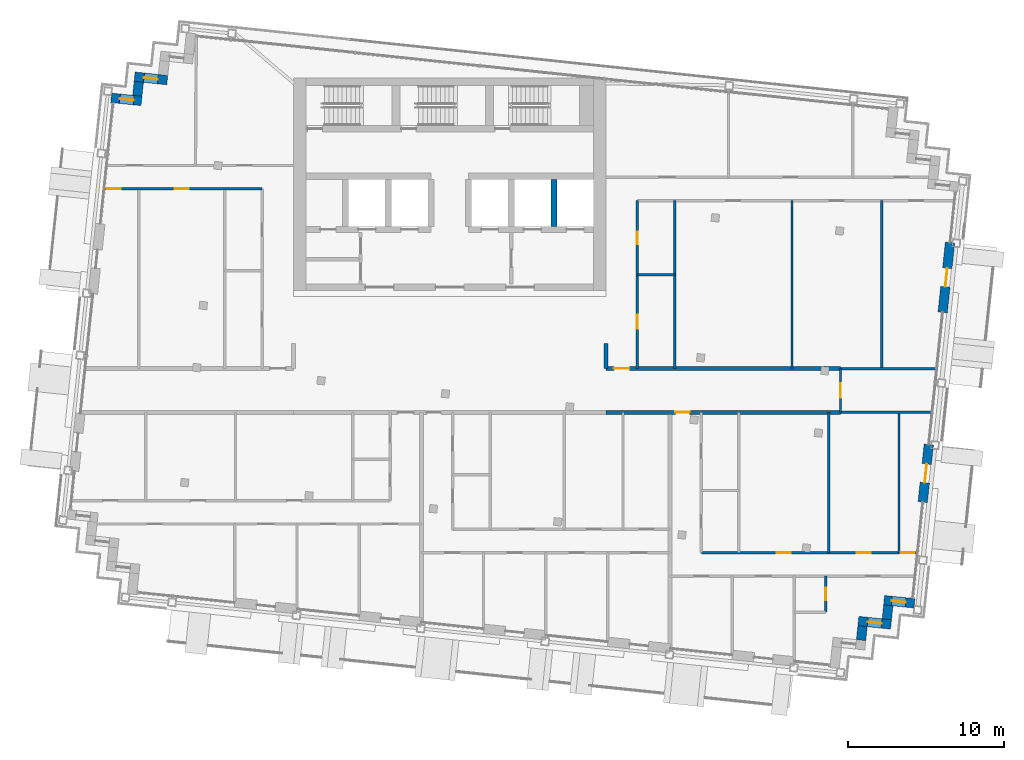
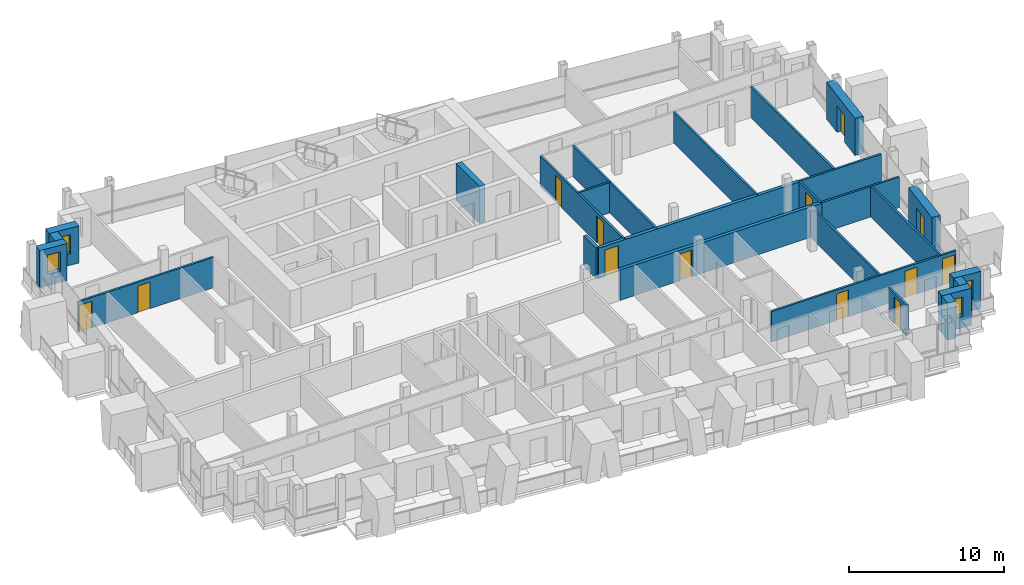
# One storey, part 11 of 17: 26 walls, 13 doors, 4 windows, 17 openings.
"""IFC4 building model written with IfcOpenShell, lengths in metres."""

import ifcopenshell
import ifcopenshell.guid

model = None  # the IFC model being written
_history = None  # IfcOwnerHistory: only IFC2X3 demands one
_inside = {}  # id of a spatial element -> (the spatial element, [elements in it])
_under = {}  # id of a project, library or spatial element -> (it, [spatial elements below it])
_declared = {}  # id of a project -> (the project, [libraries it declares])
_typed = {}  # id of a type object -> (the type object, [elements of that type])
_made_of = {}  # id of a material, layer set ... -> (it, [elements and type objects made of it])


def new_model(schema):
    """Start an empty IFC model of exactly this schema.

    Asked for "IFC4X3", IfcOpenShell would pick the latest addendum, in which some entities
    have other attributes; the version numbers below select the first issue.
    IFC2X3 requires an IfcOwnerHistory on every rooted entity: one is made here for all.
    """
    global model, _history
    if schema == "IFC4X3":
        model = ifcopenshell.file(schema_version=(4, 3, 0, 0))
    else:
        model = ifcopenshell.file(schema=schema)
    _inside.clear()
    _under.clear()
    _declared.clear()
    _typed.clear()
    _made_of.clear()
    _history = None
    if model.schema == "IFC2X3":
        org = make("IfcOrganization", Name="unknown")
        user = make(
            "IfcPersonAndOrganization",
            ThePerson=make("IfcPerson", FamilyName="unknown"),
            TheOrganization=org,
        )
        app = make(
            "IfcApplication",
            ApplicationDeveloper=org,
            Version="unknown",
            ApplicationFullName="unknown",
            ApplicationIdentifier="unknown",
        )
        _history = make(
            "IfcOwnerHistory",
            OwningUser=user,
            OwningApplication=app,
            ChangeAction="ADDED",
            CreationDate=0,
        )
    return model


def make(cls, **values):
    """One entity of the class cls with the attributes given. An attribute that is None is left unset."""
    return model.create_entity(
        cls, **{name: value for name, value in values.items() if value is not None}
    )


def rooted(cls, **values):
    """An entity with a GlobalId (a new one), such as an element, a storey or a relation."""
    return make(cls, GlobalId=ifcopenshell.guid.new(), OwnerHistory=_history, **values)


def si_unit(unit_type, name, prefix=None):
    """IfcSIUnit, for example si_unit("LENGTHUNIT", "METRE", prefix="MILLI")."""
    return make("IfcSIUnit", UnitType=unit_type, Prefix=prefix, Name=name)


def assignment(units):
    """IfcUnitAssignment: the units of a project."""
    return None if units is None else make("IfcUnitAssignment", Units=units)


def point(xyz):
    """IfcCartesianPoint."""
    return None if xyz is None else make("IfcCartesianPoint", Coordinates=xyz)


def direction(xyz):
    """IfcDirection."""
    return None if xyz is None else make("IfcDirection", DirectionRatios=xyz)


def frame(location, z_axis=None, x_axis=None):
    """IfcAxis2Placement3D, a coordinate frame: its origin and axes. An axis left out is left unset."""
    return make(
        "IfcAxis2Placement3D",
        Location=point(location),
        Axis=direction(z_axis),
        RefDirection=direction(x_axis),
    )


def frame_2d(location, x_axis=None):
    """IfcAxis2Placement2D, a coordinate frame in the plane: its origin and x axis."""
    return make(
        "IfcAxis2Placement2D", Location=point(location), RefDirection=direction(x_axis)
    )


def origin():
    """The frame at (0, 0, 0) with its axes left unset."""
    return frame((0.0, 0.0, 0.0))


def place(relative_to, where):
    """IfcLocalPlacement: puts the frame where relative to a parent placement (None: the world)."""
    return make(
        "IfcLocalPlacement", PlacementRelTo=relative_to, RelativePlacement=where
    )


def context(
    kind, dimensions, precision=None, world=None, true_north=None, identifier=None
):
    """IfcGeometricRepresentationContext, for example the 3D "Model" context."""
    return make(
        "IfcGeometricRepresentationContext",
        ContextIdentifier=identifier,
        ContextType=kind,
        CoordinateSpaceDimension=dimensions,
        Precision=precision,
        WorldCoordinateSystem=world,
        TrueNorth=true_north,
    )


def subcontext(parent, identifier, kind, view, scale=None):
    """IfcGeometricRepresentationSubContext, for example "Body" below "Model"."""
    return make(
        "IfcGeometricRepresentationSubContext",
        ContextIdentifier=identifier,
        ContextType=kind,
        ParentContext=parent,
        TargetScale=scale,
        TargetView=view,
    )


def project(units=None, contexts=None):
    """IfcProject with its units and contexts."""
    return rooted(
        "IfcProject",
        Name="project",
        RepresentationContexts=contexts,
        UnitsInContext=assignment(units),
    )


def spatial(cls, under=None, at=None, **own):
    """A site, building, storey or space (cls), placed at a placement, below another one or the project."""
    s = rooted(cls, ObjectPlacement=at, **own)
    if under is not None:
        _under.setdefault(under.id(), (under, []))[1].append(s)
    return s


def profile(cls, at=None, kind="AREA", **sizes):
    """A parametric profile (cls). Its sizes go by their IFC names, for example OverallWidth=200.0."""
    return make(cls, ProfileType=kind, Position=at, **sizes)


def rectangle(**sizes):
    """IfcRectangleProfileDef."""
    return profile("IfcRectangleProfileDef", **sizes)


def extrude(swept, where, along, depth):
    """IfcExtrudedAreaSolid: the profile swept, set in the frame where, extruded along a direction by depth."""
    return make(
        "IfcExtrudedAreaSolid",
        SweptArea=swept,
        Position=where,
        ExtrudedDirection=direction(along),
        Depth=depth,
    )


def shape(context_of_items, identifier, shape_type, items):
    """IfcShapeRepresentation: the items that make up one representation, for example the "Body"."""
    return make(
        "IfcShapeRepresentation",
        ContextOfItems=context_of_items,
        RepresentationIdentifier=identifier,
        RepresentationType=shape_type,
        Items=items,
    )


def material(Name=None, Category=None):
    """IfcMaterial."""
    return make("IfcMaterial", Name=Name, Category=Category)


def layer(
    of_material, thickness, ventilated=None, Name=None, Category=None, Priority=None
):
    """IfcMaterialLayer: one layer of a wall or slab, of a material (None: an air gap)."""
    return make(
        "IfcMaterialLayer",
        Material=of_material,
        LayerThickness=thickness,
        IsVentilated=ventilated,
        Name=Name,
        Category=Category,
        Priority=Priority,
    )


def layer_set(layers, Name=None):
    """IfcMaterialLayerSet."""
    return make("IfcMaterialLayerSet", MaterialLayers=layers, LayerSetName=Name)


def made_of(thing, what):
    """Note that an element or type object is made of a material, layer set ...; save() writes the relation."""
    if what is not None:
        _made_of.setdefault(what.id(), (what, []))[1].append(thing)
    return thing


def type_object(cls, material=None, **own):
    """A type object (cls), such as IfcWallType, which elements share."""
    return made_of(rooted(cls, **own), material)


def element(
    cls,
    number,
    at=None,
    inside=None,
    cuts=None,
    type_object=None,
    material=None,
    context=None,
    identifier="Body",
    shape_type=None,
    held_by="IfcProductDefinitionShape",
    body=None,
    shapes=None,
    **own,
):
    """One element of the class cls, such as IfcWall. Its Tag is "e" and its number.

    at: its placement. inside: the storey or other place that contains it. cuts: it is an
    opening in that element (IfcRelVoidsElement). A single representation is given by context,
    identifier, shape_type and body (its items); several are given by shapes. held_by: the class
    of the entity that holds the representations. save() writes the other relations.
    """
    e = rooted(cls, Tag="e%d" % number, ObjectPlacement=at, **own)
    if body is not None:
        shapes = [shape(context, identifier, shape_type, body)]
    if shapes is not None:
        e.Representation = make(held_by, Representations=shapes)
    if inside is not None:
        _inside.setdefault(inside.id(), (inside, []))[1].append(e)
    if cuts is not None:
        rooted(
            "IfcRelVoidsElement", RelatingBuildingElement=cuts, RelatedOpeningElement=e
        )
    if type_object is not None:
        _typed.setdefault(type_object.id(), (type_object, []))[1].append(e)
    return made_of(e, material)


def fill(opening, filler):
    """IfcRelFillsElement: the door or window that sits in an opening."""
    return rooted(
        "IfcRelFillsElement",
        RelatingOpeningElement=opening,
        RelatedBuildingElement=filler,
    )


def aggregate(whole, parts):
    """IfcRelAggregates: a whole, such as a stair, and the parts it consists of."""
    return rooted("IfcRelAggregates", RelatingObject=whole, RelatedObjects=parts)


def save(model, path):
    """Write the relations noted so far, then the file.

    IfcRelAggregates (storeys below a building ...), IfcRelContainedInSpatialStructure (elements
    in a storey), IfcRelDefinesByType, IfcRelAssociatesMaterial and IfcRelDeclares: one each for
    every whole, place, type object, material and project.
    """
    for whole, parts in _under.values():
        aggregate(whole, parts)
    for where, things in _inside.values():
        rooted(
            "IfcRelContainedInSpatialStructure",
            RelatedElements=things,
            RelatingStructure=where,
        )
    for kind, things in _typed.values():
        rooted("IfcRelDefinesByType", RelatedObjects=things, RelatingType=kind)
    for what, things in _made_of.values():
        rooted("IfcRelAssociatesMaterial", RelatedObjects=things, RelatingMaterial=what)
    for by, libraries in _declared.values():
        rooted("IfcRelDeclares", RelatingContext=by, RelatedDefinitions=libraries)
    model.write(path)


model = new_model("IFC4")

# Units and contexts
model_context = context("Model", 3, precision=1e-05, world=origin(), true_north=direction((0.0, 1.0)))
body_context = subcontext(model_context, "Body", "Model", "MODEL_VIEW")
ifc_project = project(units=[si_unit("LENGTHUNIT", "METRE"), si_unit("AREAUNIT", "SQUARE_METRE"), si_unit("VOLUMEUNIT", "CUBIC_METRE"), si_unit("PLANEANGLEUNIT", "RADIAN"), si_unit("MASSUNIT", "GRAM", prefix="KILO")], contexts=[model_context])

# Site, building, storey
site_placement = place(None, origin())
site = spatial("IfcSite", under=ifc_project, at=site_placement, CompositionType="ELEMENT")
building_placement = place(site_placement, origin())
building = spatial("IfcBuilding", under=site, at=building_placement, Name="Vidyagriha Tower", CompositionType="ELEMENT")
storey_placement = place(building_placement, frame((0.0, 0.0, 262.699951171875)))
storey = spatial("IfcBuildingStorey", under=building, at=storey_placement, Name="L68", CompositionType="ELEMENT", Elevation=262.699951171875)

# Wall, opening, window
ifc_material_1 = material(Name="Precast concrete C40/50 with brick facing", Category="concrete")
ifc_layer_1 = layer(ifc_material_1, 0.60009765625)
ifc_layer_set_1 = layer_set([ifc_layer_1], Name="Precast concrete C40/50 with brick facing")
wall_type_1 = type_object("IfcWallType", Name="Brick-faced precast wall 600", PredefinedType="STANDARD", material=ifc_layer_set_1)
wall_1_placement = place(storey_placement, frame((-18.077392578125, 19.859130859375, 0.0), z_axis=(0.0, 0.0, 1.0), x_axis=(-0.994522640205, 0.104521376379, 0.0)))
wall_1 = element("IfcWall", 1, at=wall_1_placement, inside=storey, type_object=wall_type_1, Name="Stepped corner wall L68 R11", PredefinedType="STANDARD", context=body_context, shape_type="SweptSolid", body=[
    extrude(rectangle(XDim=2.099853515625, YDim=0.60009765625, at=frame_2d((1.0498046875, 0.0))), origin(), (0.0, 0.0, 1.0), 2.920166015625),
])
opening_1_placement = place(wall_1_placement, frame((0.60009765625, 0.0, 0.89990234375)))
opening_1 = element("IfcOpeningElement", 2, at=opening_1_placement, cuts=wall_1, Name="Opening WN1", PredefinedType="OPENING", context=body_context, shape_type="SweptSolid", body=[
    extrude(rectangle(XDim=0.89990234375, YDim=1.5, at=frame_2d((0.449951171875, 0.75))), frame((0.0, 0.31005859375, 0.0), z_axis=(0.0, -1.0, 0.0), x_axis=(1.0, 0.0, 0.0)), (0.0, 0.0, 1.0), 0.6201171875),
])
ifc_material_2 = material(Name="Aluminium and glass window", Category="aluminium")
window_type = type_object("IfcWindowType", Name="Reveal window 900x1500", PartitioningType="NOTDEFINED", PredefinedType="WINDOW", material=ifc_material_2)
window_1_placement = place(opening_1_placement, origin())
window_1 = element("IfcWindow", 3, at=window_1_placement, inside=storey, type_object=window_type, Name="Reveal window L68 R11", OverallHeight=1.5, OverallWidth=0.89990234375, PartitioningType="SINGLE_PANEL", PredefinedType="WINDOW", context=body_context, shape_type="SweptSolid", body=[
    extrude(rectangle(XDim=0.89990234375, YDim=1.5, at=frame_2d((0.449951171875, 0.75))), frame((0.0, 0.030029296875, 0.0), z_axis=(0.0, -1.0, 0.0), x_axis=(1.0, 0.0, 0.0)), (0.0, 0.0, 1.0), 0.06005859375),
])
fill(opening_1, window_1)

# Wall
wall_2_placement = place(storey_placement, frame((-19.898681640625, 19.748779296875, 0.0), z_axis=(0.0, 0.0, 1.0), x_axis=(-0.104741284723, -0.994499503909, 0.0)))
element("IfcWall", 4, at=wall_2_placement, inside=storey, type_object=wall_type_1, Name="Stepped corner wall L68 R12", PredefinedType="STANDARD", context=body_context, shape_type="SweptSolid", body=[
    extrude(rectangle(XDim=0.899658203125, YDim=0.60009765625, at=frame_2d((0.44970703125, 0.0))), origin(), (0.0, 0.0, 1.0), 2.920166015625),
])

# Wall, opening, window
wall_3_placement = place(storey_placement, frame((-19.725830078125, 18.5244140625, 0.0), z_axis=(0.0, 0.0, 1.0), x_axis=(-0.994534226826, 0.104411070641, 0.0)))
wall_3 = element("IfcWall", 5, at=wall_3_placement, inside=storey, type_object=wall_type_1, Name="Stepped corner wall L68 R13", PredefinedType="STANDARD", context=body_context, shape_type="SweptSolid", body=[
    extrude(rectangle(XDim=1.9501953125, YDim=0.60009765625, at=frame_2d((0.97509765625, 0.0))), origin(), (0.0, 0.0, 1.0), 2.920166015625),
])
opening_2_placement = place(wall_3_placement, frame((0.489990234375, 0.0, 0.89990234375)))
opening_2 = element("IfcOpeningElement", 6, at=opening_2_placement, cuts=wall_3, Name="Opening WN1", PredefinedType="OPENING", context=body_context, shape_type="SweptSolid", body=[
    extrude(rectangle(XDim=0.89990234375, YDim=1.5, at=frame_2d((0.449951171875, 0.75))), frame((0.0, 0.31005859375, 0.0), z_axis=(0.0, -1.0, 0.0), x_axis=(1.0, 0.0, 0.0)), (0.0, 0.0, 1.0), 0.6201171875),
])
window_2_placement = place(opening_2_placement, origin())
window_2 = element("IfcWindow", 7, at=window_2_placement, inside=storey, type_object=window_type, Name="Reveal window L68 R13", OverallHeight=1.5, OverallWidth=0.89990234375, PartitioningType="SINGLE_PANEL", PredefinedType="WINDOW", context=body_context, shape_type="SweptSolid", body=[
    extrude(rectangle(XDim=0.89990234375, YDim=1.5, at=frame_2d((0.449951171875, 0.75))), frame((0.0, 0.030029296875, 0.0), z_axis=(0.0, -1.0, 0.0), x_axis=(1.0, 0.0, 0.0)), (0.0, 0.0, 1.0), 0.06005859375),
])
fill(opening_2, window_2)

# Wall
wall_4_placement = place(storey_placement, frame((26.320068359375, -15.97802734375, 0.0), z_axis=(0.0, 0.0, 1.0), x_axis=(0.104444712852, 0.994530694326, 0.0)))
element("IfcWall", 8, at=wall_4_placement, inside=storey, type_object=wall_type_1, Name="Stepped corner wall L68 R24", PredefinedType="STANDARD", context=body_context, shape_type="SweptSolid", body=[
    extrude(rectangle(XDim=0.89990234375, YDim=0.60009765625, at=frame_2d((0.449951171875, 0.0))), origin(), (0.0, 0.0, 1.0), 2.920166015625),
])

# Wall, opening, window
wall_5_placement = place(storey_placement, frame((26.147216796875, -14.753173828125, 0.0), z_axis=(0.0, 0.0, 1.0), x_axis=(0.994522640205, -0.104521376379, 0.0)))
wall_5 = element("IfcWall", 9, at=wall_5_placement, inside=storey, type_object=wall_type_1, Name="Stepped corner wall L68 R25", PredefinedType="STANDARD", context=body_context, shape_type="SweptSolid", body=[
    extrude(rectangle(XDim=2.099853515625, YDim=0.60009765625, at=frame_2d((1.0498046875, 0.0))), origin(), (0.0, 0.0, 1.0), 2.920166015625),
])
opening_3_placement = place(wall_5_placement, frame((0.599853515625, 0.0, 0.89990234375)))
opening_3 = element("IfcOpeningElement", 10, at=opening_3_placement, cuts=wall_5, Name="Opening WN1", PredefinedType="OPENING", context=body_context, shape_type="SweptSolid", body=[
    extrude(rectangle(XDim=0.89990234375, YDim=1.5, at=frame_2d((0.449951171875, 0.75))), frame((0.0, 0.31005859375, 0.0), z_axis=(0.0, -1.0, 0.0), x_axis=(1.0, 0.0, 0.0)), (0.0, 0.0, 1.0), 0.6201171875),
])
window_3_placement = place(opening_3_placement, origin())
window_3 = element("IfcWindow", 11, at=window_3_placement, inside=storey, type_object=window_type, Name="Reveal window L68 R25", OverallHeight=1.5, OverallWidth=0.89990234375, PartitioningType="SINGLE_PANEL", PredefinedType="WINDOW", context=body_context, shape_type="SweptSolid", body=[
    extrude(rectangle(XDim=0.89990234375, YDim=1.5, at=frame_2d((0.449951171875, 0.75))), frame((0.0, 0.030029296875, 0.0), z_axis=(0.0, -1.0, 0.0), x_axis=(1.0, 0.0, 0.0)), (0.0, 0.0, 1.0), 0.06005859375),
])
fill(opening_3, window_3)

# Wall
wall_6_placement = place(storey_placement, frame((27.968505859375, -14.64306640625, 0.0), z_axis=(0.0, 0.0, 1.0), x_axis=(0.104416541099, 0.994533652495, 0.0)))
element("IfcWall", 12, at=wall_6_placement, inside=storey, type_object=wall_type_1, Name="Stepped corner wall L68 R26", PredefinedType="STANDARD", context=body_context, shape_type="SweptSolid", body=[
    extrude(rectangle(XDim=0.900146484375, YDim=0.60009765625, at=frame_2d((0.4501953125, 0.0))), origin(), (0.0, 0.0, 1.0), 2.920166015625),
])

# Wall, opening, window
wall_7_placement = place(storey_placement, frame((27.795654296875, -13.418212890625, 0.0), z_axis=(0.0, 0.0, 1.0), x_axis=(0.994519850893, -0.104547913319, 0.0)))
wall_7 = element("IfcWall", 13, at=wall_7_placement, inside=storey, type_object=wall_type_1, Name="Stepped corner wall L68 R27", PredefinedType="STANDARD", context=body_context, shape_type="SweptSolid", body=[
    extrude(rectangle(XDim=1.949951171875, YDim=0.60009765625, at=frame_2d((0.97509765625, 0.0))), origin(), (0.0, 0.0, 1.0), 2.920166015625),
])
opening_4_placement = place(wall_7_placement, frame((0.489990234375, 0.0, 0.89990234375)))
opening_4 = element("IfcOpeningElement", 14, at=opening_4_placement, cuts=wall_7, Name="Opening WN1", PredefinedType="OPENING", context=body_context, shape_type="SweptSolid", body=[
    extrude(rectangle(XDim=0.89990234375, YDim=1.5, at=frame_2d((0.449951171875, 0.75))), frame((0.0, 0.31005859375, 0.0), z_axis=(0.0, -1.0, 0.0), x_axis=(1.0, 0.0, 0.0)), (0.0, 0.0, 1.0), 0.6201171875),
])
window_4_placement = place(opening_4_placement, origin())
window_4 = element("IfcWindow", 15, at=window_4_placement, inside=storey, type_object=window_type, Name="Reveal window L68 R27", OverallHeight=1.5, OverallWidth=0.89990234375, PartitioningType="SINGLE_PANEL", PredefinedType="WINDOW", context=body_context, shape_type="SweptSolid", body=[
    extrude(rectangle(XDim=0.89990234375, YDim=1.5, at=frame_2d((0.449951171875, 0.75))), frame((0.0, 0.030029296875, 0.0), z_axis=(0.0, -1.0, 0.0), x_axis=(1.0, 0.0, 0.0)), (0.0, 0.0, 1.0), 0.06005859375),
])
fill(opening_4, window_4)

# Wall, opening, door
wall_8_placement = place(storey_placement, frame((30.26513671875, -7.14208984375, 0.0), z_axis=(0.0, 0.0, 1.0), x_axis=(0.104513052986, 0.994523514933, 0.0)))
wall_8 = element("IfcWall", 16, at=wall_8_placement, inside=storey, type_object=wall_type_1, Name="Brick door bay wall L68 R28.3", PredefinedType="STANDARD", context=body_context, shape_type="SweptSolid", body=[
    extrude(rectangle(XDim=3.7001953125, YDim=0.60009765625, at=frame_2d((1.85009765625, 0.0))), origin(), (0.0, 0.0, 1.0), 2.920166015625),
])
opening_5_placement = place(wall_8_placement, frame((1.25, 0.0, 0.0)))
opening_5 = element("IfcOpeningElement", 17, at=opening_5_placement, cuts=wall_8, Name="Opening D68-65", PredefinedType="OPENING", context=body_context, shape_type="SweptSolid", body=[
    extrude(rectangle(XDim=1.199951171875, YDim=2.10009765625, at=frame_2d((0.60009765625, 1.050048828125))), frame((0.0, 0.31005859375, 0.0), z_axis=(0.0, -1.0, 0.0), x_axis=(1.0, 0.0, 0.0)), (0.0, 0.0, 1.0), 0.6201171875),
])
ifc_material_3 = material(Name="Aluminium framed glazed sliding door", Category="aluminium")
door_type_1 = type_object("IfcDoorType", Name="Balcony sliding door 1200x2100", OperationType="NOTDEFINED", PredefinedType="DOOR", material=ifc_material_3)
door_1_placement = place(opening_5_placement, origin())
door_1 = element("IfcDoor", 18, at=door_1_placement, inside=storey, type_object=door_type_1, Name="Door D68-65", OperationType="SLIDING_TO_LEFT", OverallHeight=2.10009765625, OverallWidth=1.199951171875, PredefinedType="DOOR", context=body_context, shape_type="SweptSolid", body=[
    extrude(rectangle(XDim=1.199951171875, YDim=2.10009765625, at=frame_2d((0.60009765625, 1.050048828125))), frame((0.0, 0.02490234375, 0.0), z_axis=(0.0, -1.0, 0.0), x_axis=(1.0, 0.0, 0.0)), (0.0, 0.0, 1.0), 0.050048828125),
])
fill(opening_5, door_1)

wall_9_placement = place(storey_placement, frame((31.540283203125, 4.9912109375, 0.0), z_axis=(0.0, 0.0, 1.0), x_axis=(0.104546400045, 0.994520009974, 0.0)))
wall_9 = element("IfcWall", 19, at=wall_9_placement, inside=storey, type_object=wall_type_1, Name="Brick door bay wall L68 R28.6", PredefinedType="STANDARD", context=body_context, shape_type="SweptSolid", body=[
    extrude(rectangle(XDim=4.5, YDim=0.60009765625, at=frame_2d((2.25, 0.0))), origin(), (0.0, 0.0, 1.0), 2.920166015625),
])
opening_6_placement = place(wall_9_placement, frame((1.64990234375, 0.0, 0.0)))
opening_6 = element("IfcOpeningElement", 20, at=opening_6_placement, cuts=wall_9, Name="Opening D68-66", PredefinedType="OPENING", context=body_context, shape_type="SweptSolid", body=[
    extrude(rectangle(XDim=1.199951171875, YDim=2.10009765625, at=frame_2d((0.60009765625, 1.050048828125))), frame((0.0, 0.31005859375, 0.0), z_axis=(0.0, -1.0, 0.0), x_axis=(1.0, 0.0, 0.0)), (0.0, 0.0, 1.0), 0.6201171875),
])
door_2_placement = place(opening_6_placement, origin())
door_2 = element("IfcDoor", 21, at=door_2_placement, inside=storey, type_object=door_type_1, Name="Door D68-66", OperationType="SLIDING_TO_LEFT", OverallHeight=2.10009765625, OverallWidth=1.199951171875, PredefinedType="DOOR", context=body_context, shape_type="SweptSolid", body=[
    extrude(rectangle(XDim=1.199951171875, YDim=2.10009765625, at=frame_2d((0.60009765625, 1.050048828125))), frame((0.0, 0.02490234375, 0.0), z_axis=(0.0, -1.0, 0.0), x_axis=(1.0, 0.0, 0.0)), (0.0, 0.0, 1.0), 0.050048828125),
])
fill(opening_6, door_2)

# Wall
ifc_material_4 = material(Name="Concrete C60/75", Category="concrete")
ifc_layer_2 = layer(ifc_material_4, 0.39990234375)
ifc_layer_set_2 = layer_set([ifc_layer_2], Name="Concrete C60/75")
wall_type_2 = type_object("IfcWallType", Name="Core shear wall 400 mm", PredefinedType="SHEAR", material=ifc_layer_set_2)
wall_10_placement = place(storey_placement, frame((6.666748046875, 10.5, 0.0), z_axis=(0.0, 0.0, 1.0), x_axis=(0.0, 1.0, 0.0)))
element("IfcWall", 22, at=wall_10_placement, inside=storey, type_object=wall_type_2, Name="Core bay wall N6", PredefinedType="SHEAR", context=body_context, shape_type="SweptSolid", body=[
    extrude(rectangle(XDim=3.0, YDim=0.39990234375, at=frame_2d((1.5, 0.0))), origin(), (0.0, 0.0, 1.0), 2.920166015625),
])

# Wall, opening, door
ifc_material_5 = material(Name="Fired clay brick masonry", Category="masonry")
ifc_layer_3 = layer(ifc_material_5, 0.25)
ifc_layer_set_3 = layer_set([ifc_layer_3], Name="Fired clay brick masonry")
wall_type_3 = type_object("IfcWallType", Name="Fired clay brick corridor wall 250", PredefinedType="PARTITIONING", material=ifc_layer_set_3)
wall_11_placement = place(storey_placement, frame((25.0, -1.39990234375, 0.0), z_axis=(0.0, 0.0, 1.0), x_axis=(-1.0, 0.0, 0.0)))
wall_11 = element("IfcWall", 23, at=wall_11_placement, inside=storey, type_object=wall_type_3, Name="Wall all-L68-w065", PredefinedType="PARTITIONING", context=body_context, shape_type="SweptSolid", body=[
    extrude(rectangle(XDim=15.0, YDim=0.25, at=frame_2d((7.5, 0.0))), origin(), (0.0, 0.0, 1.0), 2.400146484375),
])
opening_7_placement = place(wall_11_placement, frame((9.657958984375, 0.0, 0.0)))
opening_7 = element("IfcOpeningElement", 24, at=opening_7_placement, cuts=wall_11, Name="Opening D68-40", PredefinedType="OPENING", context=body_context, shape_type="SweptSolid", body=[
    extrude(rectangle(XDim=0.89990234375, YDim=2.10009765625, at=frame_2d((0.449951171875, 1.050048828125))), frame((0.0, 0.135009765625, 0.0), z_axis=(0.0, -1.0, 0.0), x_axis=(1.0, 0.0, 0.0)), (0.0, 0.0, 1.0), 0.27001953125),
])
ifc_material_6 = material(Name="Fire-rated timber door leaf EI 60", Category="wood")
door_type_2 = type_object("IfcDoorType", Name="Flat entrance fire door 900x2100", OperationType="NOTDEFINED", PredefinedType="DOOR", material=ifc_material_6)
door_3_placement = place(opening_7_placement, origin())
door_3 = element("IfcDoor", 25, at=door_3_placement, inside=storey, type_object=door_type_2, Name="Door D68-40", OperationType="SINGLE_SWING_RIGHT", OverallHeight=2.10009765625, OverallWidth=0.89990234375, PredefinedType="DOOR", context=body_context, shape_type="SweptSolid", body=[
    extrude(rectangle(XDim=0.89990234375, YDim=2.10009765625, at=frame_2d((0.449951171875, 1.050048828125))), frame((0.0, 0.02490234375, 0.0), z_axis=(0.0, -1.0, 0.0), x_axis=(1.0, 0.0, 0.0)), (0.0, 0.0, 1.0), 0.050048828125),
])
fill(opening_7, door_3)

wall_12_placement = place(storey_placement, frame((10.0, 1.39990234375, 0.0)))
wall_12 = element("IfcWall", 26, at=wall_12_placement, inside=storey, type_object=wall_type_3, Name="Wall all-L68-w100", PredefinedType="PARTITIONING", context=body_context, shape_type="SweptSolid", body=[
    extrude(rectangle(XDim=15.0, YDim=0.25, at=frame_2d((7.5, 0.0))), origin(), (0.0, 0.0, 1.0), 2.400146484375),
])
opening_8_placement = place(wall_12_placement, frame((0.5, 0.0, 0.0)))
opening_8 = element("IfcOpeningElement", 27, at=opening_8_placement, cuts=wall_12, Name="Opening D68-56", PredefinedType="OPENING", context=body_context, shape_type="SweptSolid", body=[
    extrude(rectangle(XDim=1.0, YDim=2.10009765625, at=frame_2d((0.5, 1.050048828125))), frame((0.0, 0.135009765625, 0.0), z_axis=(0.0, -1.0, 0.0), x_axis=(1.0, 0.0, 0.0)), (0.0, 0.0, 1.0), 0.27001953125),
])
ifc_material_7 = material(Name="Fire-rated timber door leaf EI 60", Category="wood")
door_type_3 = type_object("IfcDoorType", Name="Flat entrance fire door 1000x2100", OperationType="NOTDEFINED", PredefinedType="DOOR", material=ifc_material_7)
door_4_placement = place(opening_8_placement, origin())
door_4 = element("IfcDoor", 28, at=door_4_placement, inside=storey, type_object=door_type_3, Name="Door D68-56", OperationType="SINGLE_SWING_LEFT", OverallHeight=2.10009765625, OverallWidth=1.0, PredefinedType="DOOR", context=body_context, shape_type="SweptSolid", body=[
    extrude(rectangle(XDim=1.0, YDim=2.10009765625, at=frame_2d((0.5, 1.050048828125))), frame((0.0, 0.02490234375, 0.0), z_axis=(0.0, -1.0, 0.0), x_axis=(1.0, 0.0, 0.0)), (0.0, 0.0, 1.0), 0.050048828125),
])
fill(opening_8, door_4)

# Walls
wall_13_placement = place(storey_placement, frame((10.0, 1.39990234375, 0.0), z_axis=(0.0, 0.0, 1.0), x_axis=(0.0, 1.0, 0.0)))
element("IfcWall", 29, at=wall_13_placement, inside=storey, type_object=wall_type_3, Name="Wall all-L68-w106", PredefinedType="PARTITIONING", context=body_context, shape_type="SweptSolid", body=[
    extrude(rectangle(XDim=1.60009765625, YDim=0.25, at=frame_2d((0.800048828125, 0.0))), origin(), (0.0, 0.0, 1.0), 2.400146484375),
])
ifc_material_8 = material(Name="Gypsum board partition")
ifc_layer_4 = layer(ifc_material_8, 0.14990234375)
ifc_layer_set_4 = layer_set([ifc_layer_4], Name="Gypsum board partition")
wall_type_4 = type_object("IfcWallType", Name="Gypsum board partition 150", PredefinedType="PARTITIONING", material=ifc_layer_set_4)
for number, where, z_axis, x_axis, name in (
    (30, (24.248046875, -1.39990234375, 0.0), (0.0, 0.0, 1.0), (0.0, -1.0, 0.0), "Wall all-L68-w047"),
    (31, (28.748046875, -1.39990234375, 0.0), (0.0, 0.0, 1.0), (0.0, -1.0, 0.0), "Wall all-L68-w048"),
):
    element("IfcWall", number, at=place(storey_placement, frame(where, z_axis=z_axis, x_axis=x_axis)), inside=storey, type_object=wall_type_4, Name=name, PredefinedType="PARTITIONING", context=body_context, shape_type="SweptSolid", body=[
        extrude(rectangle(XDim=8.981689453125, YDim=0.14990234375, at=frame_2d((4.49072265625, 0.0))), origin(), (0.0, 0.0, 1.0), 2.400146484375),
    ])

# Wall, openings, doors
wall_14_placement = place(storey_placement, frame((16.097900390625, -10.381591796875, 0.0)))
wall_14 = element("IfcWall", 32, at=wall_14_placement, inside=storey, type_object=wall_type_4, Name="Wall all-L68-w049", PredefinedType="PARTITIONING", context=body_context, shape_type="SweptSolid", body=[
    extrude(rectangle(XDim=13.747314453125, YDim=0.14990234375, at=frame_2d((6.87353515625, 0.0))), origin(), (0.0, 0.0, 1.0), 2.400146484375),
])
opening_9_placement = place(wall_14_placement, frame((4.824951171875, 0.0, 0.0)))
opening_9 = element("IfcOpeningElement", 33, at=opening_9_placement, cuts=wall_14, Name="Opening D68-33", PredefinedType="OPENING", context=body_context, shape_type="SweptSolid", body=[
    extrude(rectangle(XDim=0.89990234375, YDim=2.10009765625, at=frame_2d((0.449951171875, 1.050048828125))), frame((0.0, 0.0849609375, 0.0), z_axis=(0.0, -1.0, 0.0), x_axis=(1.0, 0.0, 0.0)), (0.0, 0.0, 1.0), 0.169921875),
])
opening_10_placement = place(wall_14_placement, frame((9.949951171875, 0.0, 0.0)))
opening_10 = element("IfcOpeningElement", 34, at=opening_10_placement, cuts=wall_14, Name="Opening D68-34", PredefinedType="OPENING", context=body_context, shape_type="SweptSolid", body=[
    extrude(rectangle(XDim=0.89990234375, YDim=2.10009765625, at=frame_2d((0.449951171875, 1.050048828125))), frame((0.0, 0.0849609375, 0.0), z_axis=(0.0, -1.0, 0.0), x_axis=(1.0, 0.0, 0.0)), (0.0, 0.0, 1.0), 0.169921875),
])
opening_11_placement = place(wall_14_placement, frame((12.747314453125, 0.0, 0.0)))
opening_11 = element("IfcOpeningElement", 35, at=opening_11_placement, cuts=wall_14, Name="Opening D68-35", PredefinedType="OPENING", context=body_context, shape_type="SweptSolid", body=[
    extrude(rectangle(XDim=0.89990234375, YDim=2.10009765625, at=frame_2d((0.449951171875, 1.050048828125))), frame((0.0, 0.0849609375, 0.0), z_axis=(0.0, -1.0, 0.0), x_axis=(1.0, 0.0, 0.0)), (0.0, 0.0, 1.0), 0.169921875),
])
ifc_material_9 = material(Name="Timber door leaf", Category="wood")
door_type_4 = type_object("IfcDoorType", Name="Room door 900x2100", OperationType="NOTDEFINED", PredefinedType="DOOR", material=ifc_material_9)
door_5_placement = place(opening_9_placement, origin())
door_5 = element("IfcDoor", 36, at=door_5_placement, inside=storey, type_object=door_type_4, Name="Door D68-33", OperationType="SINGLE_SWING_RIGHT", OverallHeight=2.10009765625, OverallWidth=0.89990234375, PredefinedType="DOOR", context=body_context, shape_type="SweptSolid", body=[
    extrude(rectangle(XDim=0.89990234375, YDim=2.10009765625, at=frame_2d((0.449951171875, 1.050048828125))), frame((0.0, 0.02490234375, 0.0), z_axis=(0.0, -1.0, 0.0), x_axis=(1.0, 0.0, 0.0)), (0.0, 0.0, 1.0), 0.050048828125),
])
fill(opening_9, door_5)
door_6_placement = place(opening_10_placement, origin())
door_6 = element("IfcDoor", 37, at=door_6_placement, inside=storey, type_object=door_type_4, Name="Door D68-34", OperationType="SINGLE_SWING_RIGHT", OverallHeight=2.10009765625, OverallWidth=0.89990234375, PredefinedType="DOOR", context=body_context, shape_type="SweptSolid", body=[
    extrude(rectangle(XDim=0.89990234375, YDim=2.10009765625, at=frame_2d((0.449951171875, 1.050048828125))), frame((0.0, 0.02490234375, 0.0), z_axis=(0.0, -1.0, 0.0), x_axis=(1.0, 0.0, 0.0)), (0.0, 0.0, 1.0), 0.050048828125),
])
fill(opening_10, door_6)
door_7_placement = place(opening_11_placement, origin())
door_7 = element("IfcDoor", 38, at=door_7_placement, inside=storey, type_object=door_type_4, Name="Door D68-35", OperationType="SINGLE_SWING_LEFT", OverallHeight=2.10009765625, OverallWidth=0.89990234375, PredefinedType="DOOR", context=body_context, shape_type="SweptSolid", body=[
    extrude(rectangle(XDim=0.89990234375, YDim=2.10009765625, at=frame_2d((0.449951171875, 1.050048828125))), frame((0.0, 0.02490234375, 0.0), z_axis=(0.0, -1.0, 0.0), x_axis=(1.0, 0.0, 0.0)), (0.0, 0.0, 1.0), 0.050048828125),
])
fill(opening_11, door_7)

# Wall, opening, door
wall_15_placement = place(storey_placement, frame((24.05419921875, -11.881591796875, 0.0), z_axis=(0.0, 0.0, 1.0), x_axis=(0.0, -1.0, 0.0)))
wall_15 = element("IfcWall", 39, at=wall_15_placement, inside=storey, type_object=wall_type_4, Name="Wall all-L68-w059", PredefinedType="PARTITIONING", context=body_context, shape_type="SweptSolid", body=[
    extrude(rectangle(XDim=2.300048828125, YDim=0.14990234375, at=frame_2d((1.14990234375, 0.0))), origin(), (0.0, 0.0, 1.0), 2.400146484375),
])
opening_12_placement = place(wall_15_placement, frame((0.75, 0.0, 0.0)))
opening_12 = element("IfcOpeningElement", 40, at=opening_12_placement, cuts=wall_15, Name="Opening D68-39", PredefinedType="OPENING", context=body_context, shape_type="SweptSolid", body=[
    extrude(rectangle(XDim=0.800048828125, YDim=2.10009765625, at=frame_2d((0.39990234375, 1.050048828125))), frame((0.0, 0.0849609375, 0.0), z_axis=(0.0, -1.0, 0.0), x_axis=(1.0, 0.0, 0.0)), (0.0, 0.0, 1.0), 0.169921875),
])
ifc_material_10 = material(Name="Timber door leaf", Category="wood")
door_type_5 = type_object("IfcDoorType", Name="Bathroom door 800x2100", OperationType="NOTDEFINED", PredefinedType="DOOR", material=ifc_material_10)
door_8_placement = place(opening_12_placement, origin())
door_8 = element("IfcDoor", 41, at=door_8_placement, inside=storey, type_object=door_type_5, Name="Door D68-39", OperationType="SINGLE_SWING_LEFT", OverallHeight=2.10009765625, OverallWidth=0.800048828125, PredefinedType="DOOR", context=body_context, shape_type="SweptSolid", body=[
    extrude(rectangle(XDim=0.800048828125, YDim=2.10009765625, at=frame_2d((0.39990234375, 1.050048828125))), frame((0.0, 0.02490234375, 0.0), z_axis=(0.0, -1.0, 0.0), x_axis=(1.0, 0.0, 0.0)), (0.0, 0.0, 1.0), 0.050048828125),
])
fill(opening_12, door_8)

# Wall
wall_16_placement = place(storey_placement, frame((30.79833984375, -1.39990234375, 0.0), z_axis=(0.0, 0.0, 1.0), x_axis=(-1.0, 0.0, 0.0)))
element("IfcWall", 42, at=wall_16_placement, inside=storey, type_object=wall_type_4, Name="Wall all-L68-w066", PredefinedType="PARTITIONING", context=body_context, shape_type="SweptSolid", body=[
    extrude(rectangle(XDim=5.79833984375, YDim=0.14990234375, at=frame_2d((2.899169921875, 0.0))), origin(), (0.0, 0.0, 1.0), 2.400146484375),
])

# Wall, openings, doors
wall_17_placement = place(storey_placement, frame((-12.0, 12.89990234375, 0.0), z_axis=(0.0, 0.0, 1.0), x_axis=(-1.0, 0.0, 0.0)))
wall_17 = element("IfcWall", 43, at=wall_17_placement, inside=storey, type_object=wall_type_4, Name="Wall all-L68-w073", PredefinedType="PARTITIONING", context=body_context, shape_type="SweptSolid", body=[
    extrude(rectangle(XDim=10.04736328125, YDim=0.14990234375, at=frame_2d((5.023681640625, 0.0))), origin(), (0.0, 0.0, 1.0), 2.400146484375),
])
opening_13_placement = place(wall_17_placement, frame((4.699951171875, 0.0, 0.0)))
opening_13 = element("IfcOpeningElement", 44, at=opening_13_placement, cuts=wall_17, Name="Opening D68-43", PredefinedType="OPENING", context=body_context, shape_type="SweptSolid", body=[
    extrude(rectangle(XDim=0.89990234375, YDim=2.10009765625, at=frame_2d((0.449951171875, 1.050048828125))), frame((0.0, 0.0849609375, 0.0), z_axis=(0.0, -1.0, 0.0), x_axis=(1.0, 0.0, 0.0)), (0.0, 0.0, 1.0), 0.169921875),
])
opening_14_placement = place(wall_17_placement, frame((9.04736328125, 0.0, 0.0)))
opening_14 = element("IfcOpeningElement", 45, at=opening_14_placement, cuts=wall_17, Name="Opening D68-44", PredefinedType="OPENING", context=body_context, shape_type="SweptSolid", body=[
    extrude(rectangle(XDim=0.89990234375, YDim=2.10009765625, at=frame_2d((0.449951171875, 1.050048828125))), frame((0.0, 0.0849609375, 0.0), z_axis=(0.0, -1.0, 0.0), x_axis=(1.0, 0.0, 0.0)), (0.0, 0.0, 1.0), 0.169921875),
])
door_9_placement = place(opening_13_placement, origin())
door_9 = element("IfcDoor", 46, at=door_9_placement, inside=storey, type_object=door_type_4, Name="Door D68-43", OperationType="SINGLE_SWING_LEFT", OverallHeight=2.10009765625, OverallWidth=0.89990234375, PredefinedType="DOOR", context=body_context, shape_type="SweptSolid", body=[
    extrude(rectangle(XDim=0.89990234375, YDim=2.10009765625, at=frame_2d((0.449951171875, 1.050048828125))), frame((0.0, 0.02490234375, 0.0), z_axis=(0.0, -1.0, 0.0), x_axis=(1.0, 0.0, 0.0)), (0.0, 0.0, 1.0), 0.050048828125),
])
fill(opening_13, door_9)
door_10_placement = place(opening_14_placement, origin())
door_10 = element("IfcDoor", 47, at=door_10_placement, inside=storey, type_object=door_type_4, Name="Door D68-44", OperationType="SINGLE_SWING_RIGHT", OverallHeight=2.10009765625, OverallWidth=0.89990234375, PredefinedType="DOOR", context=body_context, shape_type="SweptSolid", body=[
    extrude(rectangle(XDim=0.89990234375, YDim=2.10009765625, at=frame_2d((0.449951171875, 1.050048828125))), frame((0.0, 0.02490234375, 0.0), z_axis=(0.0, -1.0, 0.0), x_axis=(1.0, 0.0, 0.0)), (0.0, 0.0, 1.0), 0.050048828125),
])
fill(opening_14, door_10)

# Walls
wall_18_placement = place(storey_placement, frame((12.0, 7.39990234375, 0.0)))
element("IfcWall", 48, at=wall_18_placement, inside=storey, type_object=wall_type_4, Name="Wall all-L68-w085", PredefinedType="PARTITIONING", context=body_context, shape_type="SweptSolid", body=[
    extrude(rectangle(XDim=2.39990234375, YDim=0.14990234375, at=frame_2d((1.199951171875, 0.0))), origin(), (0.0, 0.0, 1.0), 2.400146484375),
])
for number, where, z_axis, x_axis, name in (
    (49, (14.39990234375, 12.143310546875, 0.0), (0.0, 0.0, 1.0), (0.0, -1.0, 0.0), "Wall all-L68-w086"),
    (50, (21.89990234375, 12.143310546875, 0.0), (0.0, 0.0, 1.0), (0.0, -1.0, 0.0), "Wall all-L68-w087"),
    (51, (27.64990234375, 12.143310546875, 0.0), (0.0, 0.0, 1.0), (0.0, -1.0, 0.0), "Wall all-L68-w088"),
):
    element("IfcWall", number, at=place(storey_placement, frame(where, z_axis=z_axis, x_axis=x_axis)), inside=storey, type_object=wall_type_4, Name=name, PredefinedType="PARTITIONING", context=body_context, shape_type="SweptSolid", body=[
        extrude(rectangle(XDim=10.743408203125, YDim=0.14990234375, at=frame_2d((5.37158203125, 0.0))), origin(), (0.0, 0.0, 1.0), 2.400146484375),
    ])
wall_19_placement = place(storey_placement, frame((25.0, 1.39990234375, 0.0)))
element("IfcWall", 52, at=wall_19_placement, inside=storey, type_object=wall_type_4, Name="Wall all-L68-w101", PredefinedType="PARTITIONING", context=body_context, shape_type="SweptSolid", body=[
    extrude(rectangle(XDim=6.092529296875, YDim=0.14990234375, at=frame_2d((3.04638671875, 0.0))), origin(), (0.0, 0.0, 1.0), 2.400146484375),
])

# Wall, opening, door
wall_20_placement = place(storey_placement, frame((25.0, -1.39990234375, 0.0), z_axis=(0.0, 0.0, 1.0), x_axis=(0.0, 1.0, 0.0)))
wall_20 = element("IfcWall", 53, at=wall_20_placement, inside=storey, type_object=wall_type_4, Name="Wall all-L68-w102", PredefinedType="PARTITIONING", context=body_context, shape_type="SweptSolid", body=[
    extrude(rectangle(XDim=2.7998046875, YDim=0.14990234375, at=frame_2d((1.39990234375, 0.0))), origin(), (0.0, 0.0, 1.0), 2.400146484375),
])
opening_15_placement = place(wall_20_placement, frame((0.949951171875, 0.0, 0.0)))
opening_15 = element("IfcOpeningElement", 54, at=opening_15_placement, cuts=wall_20, Name="Opening D68-57", PredefinedType="OPENING", context=body_context, shape_type="SweptSolid", body=[
    extrude(rectangle(XDim=0.89990234375, YDim=2.10009765625, at=frame_2d((0.449951171875, 1.050048828125))), frame((0.0, 0.0849609375, 0.0), z_axis=(0.0, -1.0, 0.0), x_axis=(1.0, 0.0, 0.0)), (0.0, 0.0, 1.0), 0.169921875),
])
door_11_placement = place(opening_15_placement, origin())
door_11 = element("IfcDoor", 55, at=door_11_placement, inside=storey, type_object=door_type_4, Name="Door D68-57", OperationType="SINGLE_SWING_RIGHT", OverallHeight=2.10009765625, OverallWidth=0.89990234375, PredefinedType="DOOR", context=body_context, shape_type="SweptSolid", body=[
    extrude(rectangle(XDim=0.89990234375, YDim=2.10009765625, at=frame_2d((0.449951171875, 1.050048828125))), frame((0.0, 0.02490234375, 0.0), z_axis=(0.0, -1.0, 0.0), x_axis=(1.0, 0.0, 0.0)), (0.0, 0.0, 1.0), 0.050048828125),
])
fill(opening_15, door_11)

# Wall, openings, doors
ifc_material_11 = material(Name="Moisture resistant gypsum board partition")
ifc_layer_5 = layer(ifc_material_11, 0.14990234375)
ifc_layer_set_5 = layer_set([ifc_layer_5], Name="Moisture resistant gypsum board partition")
wall_type_5 = type_object("IfcWallType", Name="Gypsum board wet-area partition 150", PredefinedType="PARTITIONING", material=ifc_layer_set_5)
wall_21_placement = place(storey_placement, frame((12.0, 12.143310546875, 0.0), z_axis=(0.0, 0.0, 1.0), x_axis=(0.0, -1.0, 0.0)))
wall_21 = element("IfcWall", 56, at=wall_21_placement, inside=storey, type_object=wall_type_5, Name="Wall all-L68-w082", PredefinedType="PARTITIONING", context=body_context, shape_type="SweptSolid", body=[
    extrude(rectangle(XDim=10.743408203125, YDim=0.14990234375, at=frame_2d((5.37158203125, 0.0))), origin(), (0.0, 0.0, 1.0), 2.400146484375),
])
opening_16_placement = place(wall_21_placement, frame((7.29345703125, 0.0, 0.0)))
opening_16 = element("IfcOpeningElement", 57, at=opening_16_placement, cuts=wall_21, Name="Opening D68-48", PredefinedType="OPENING", context=body_context, shape_type="SweptSolid", body=[
    extrude(rectangle(XDim=0.89990234375, YDim=2.10009765625, at=frame_2d((0.449951171875, 1.050048828125))), frame((0.0, 0.0849609375, 0.0), z_axis=(0.0, -1.0, 0.0), x_axis=(1.0, 0.0, 0.0)), (0.0, 0.0, 1.0), 0.169921875),
])
opening_17_placement = place(wall_21_placement, frame((1.9716796875, 0.0, 0.0)))
opening_17 = element("IfcOpeningElement", 58, at=opening_17_placement, cuts=wall_21, Name="Opening D68-49", PredefinedType="OPENING", context=body_context, shape_type="SweptSolid", body=[
    extrude(rectangle(XDim=0.800048828125, YDim=2.10009765625, at=frame_2d((0.39990234375, 1.050048828125))), frame((0.0, 0.0849609375, 0.0), z_axis=(0.0, -1.0, 0.0), x_axis=(1.0, 0.0, 0.0)), (0.0, 0.0, 1.0), 0.169921875),
])
door_12_placement = place(opening_17_placement, origin())
door_12 = element("IfcDoor", 59, at=door_12_placement, inside=storey, type_object=door_type_5, Name="Door D68-49", OperationType="SINGLE_SWING_RIGHT", OverallHeight=2.10009765625, OverallWidth=0.800048828125, PredefinedType="DOOR", context=body_context, shape_type="SweptSolid", body=[
    extrude(rectangle(XDim=0.800048828125, YDim=2.10009765625, at=frame_2d((0.39990234375, 1.050048828125))), frame((0.0, 0.02490234375, 0.0), z_axis=(0.0, -1.0, 0.0), x_axis=(1.0, 0.0, 0.0)), (0.0, 0.0, 1.0), 0.050048828125),
])
fill(opening_17, door_12)
ifc_material_12 = material(Name="Timber door leaf", Category="wood")
door_type_6 = type_object("IfcDoorType", Name="Kitchen door 900x2100", OperationType="NOTDEFINED", PredefinedType="DOOR", material=ifc_material_12)
door_13_placement = place(opening_16_placement, origin())
door_13 = element("IfcDoor", 60, at=door_13_placement, inside=storey, type_object=door_type_6, Name="Door D68-48", OperationType="SINGLE_SWING_LEFT", OverallHeight=2.10009765625, OverallWidth=0.89990234375, PredefinedType="DOOR", context=body_context, shape_type="SweptSolid", body=[
    extrude(rectangle(XDim=0.89990234375, YDim=2.10009765625, at=frame_2d((0.449951171875, 1.050048828125))), frame((0.0, 0.02490234375, 0.0), z_axis=(0.0, -1.0, 0.0), x_axis=(1.0, 0.0, 0.0)), (0.0, 0.0, 1.0), 0.050048828125),
])
fill(opening_16, door_13)

save(model, "model.ifc")
